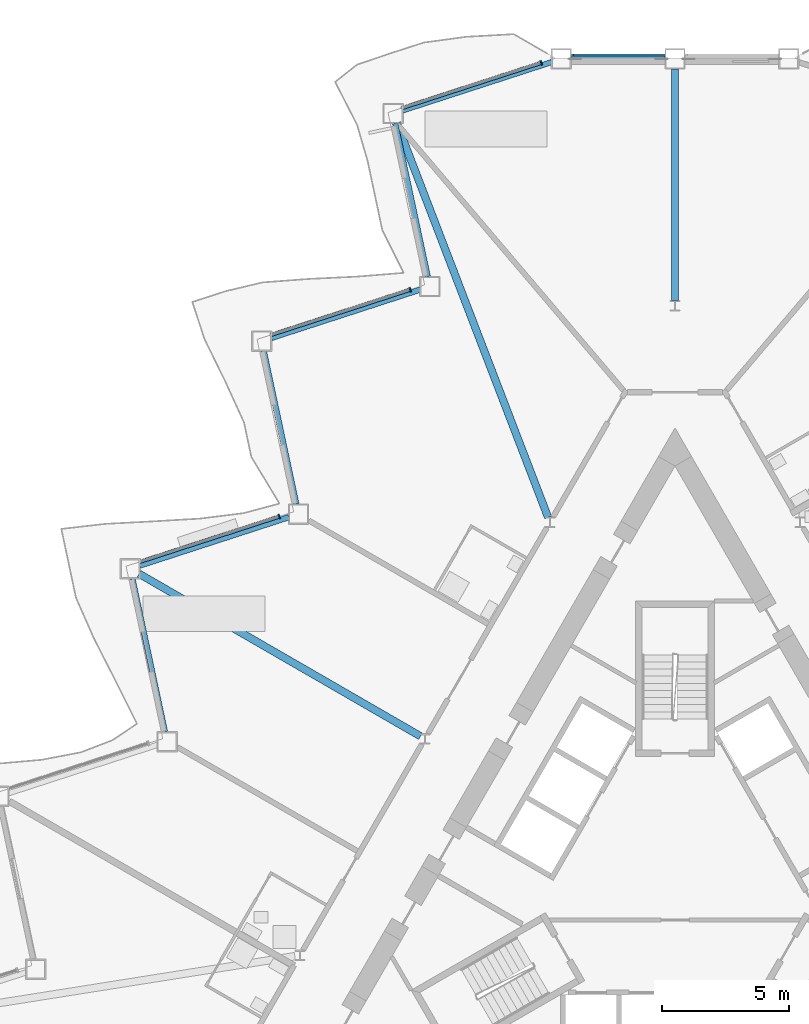
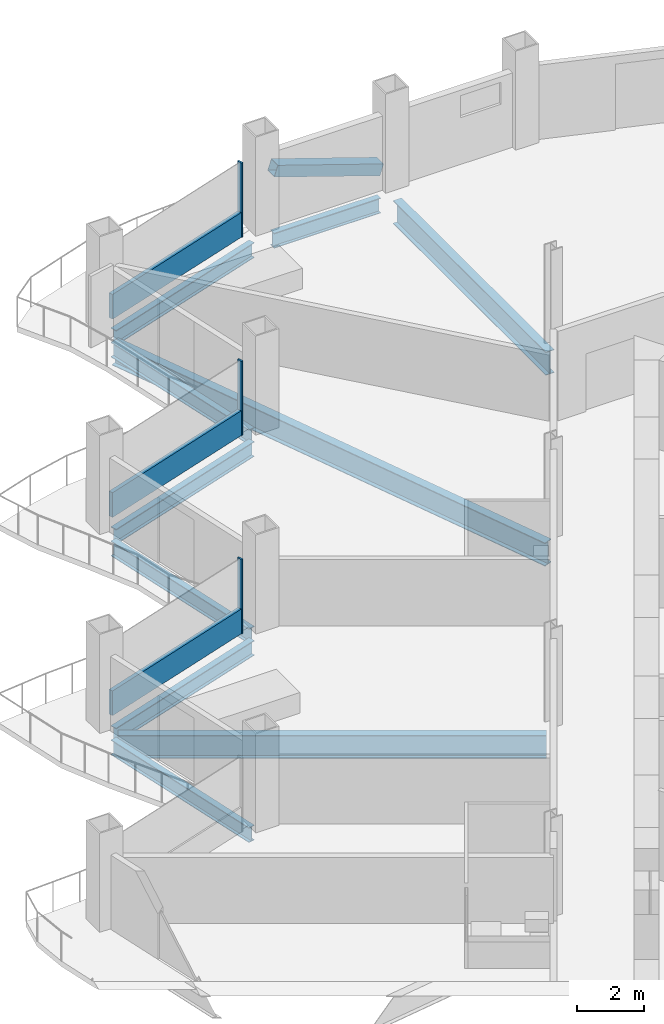
# One storey, part 8 of 24: 10 beams, 7 members, 3 elements without a shape of their own.
"""IFC4 building model written with IfcOpenShell, lengths in metres."""

from ifc_helpers import new_model, si_unit, direction, frame, origin, origin_2d, place, context, subcontext, project, spatial, rectangle, hollow_rectangle, i_section, extrude, material, layer, layer_set, material_profile, profile_set, type_object, element, aggregate, save


model = new_model("IFC4")

# Units and contexts
model_context = context("Model", 3, precision=1e-05, world=origin(), true_north=direction((0.0, 1.0)))
body_context = subcontext(model_context, "Body", "Model", "MODEL_VIEW")
ifc_project = project(units=[si_unit("LENGTHUNIT", "METRE"), si_unit("AREAUNIT", "SQUARE_METRE"), si_unit("VOLUMEUNIT", "CUBIC_METRE"), si_unit("PLANEANGLEUNIT", "RADIAN"), si_unit("MASSUNIT", "GRAM", prefix="KILO")], contexts=[model_context])

# Site, building, storey
site_placement = place(None, origin())
site = spatial("IfcSite", under=ifc_project, at=site_placement, CompositionType="ELEMENT")
building_placement = place(site_placement, origin())
building = spatial("IfcBuilding", under=site, at=building_placement, Name="Cormorant Prow Tower", CompositionType="ELEMENT")
storey_placement = place(building_placement, frame((0.0, 0.0, 205.199951171875)))
storey = spatial("IfcBuildingStorey", under=building, at=storey_placement, Name="L45", CompositionType="ELEMENT", Elevation=205.199951171875)

# Member
ifc_material_1 = material(Name="Structural steel ASTM A500 Gr C", Category="steel")
ifc_material_profile_1 = material_profile(ifc_material_1, hollow_rectangle(XDim=0.406494140625, YDim=0.406494140625, WallThickness=0.01171875, at=origin_2d()), Name="HSS16x16x1/2")
ifc_profile_set_1 = profile_set([ifc_material_profile_1], Name="Structural steel ASTM A500 Gr C")
member_type_1 = type_object("IfcMemberType", Name="Chamfer brace HSS16x16x1/2", PredefinedType="BRACE", material=ifc_profile_set_1)
member_1_placement = place(storey_placement, frame((-0.417236328125, 32.3994140625, 0.739990234375), z_axis=(-0.947980792039, 0.0, 0.318327532464), x_axis=(0.0, -1.0, 0.0)))
element("IfcMember", 1, at=member_1_placement, inside=storey, type_object=member_type_1, Name="Chamfer brace BR2 at N01 L45", PredefinedType="BRACE", context=body_context, shape_type="SweptSolid", body=[
    extrude(hollow_rectangle(XDim=0.406494140625, YDim=0.406494140625, WallThickness=0.01171875, at=origin_2d()), origin(), (0.0, 0.0, 1.0), 3.83544921875),
])

# Curtain wall, member
ifc_material_2 = material(Name="Aluminium 6063-T6", Category="aluminium")
ifc_layer = layer(ifc_material_2, 0.179931640625)
ifc_layer_set = layer_set([ifc_layer], Name="Aluminium 6063-T6")
curtain_wall_type = type_object("IfcCurtainWallType", Name="Hotel unitised curtain wall 180", PredefinedType="NOTDEFINED", material=ifc_layer_set)
curtain_wall_1_placement = place(storey_placement, origin())
curtain_wall_1 = element("IfcCurtainWall", 2, at=curtain_wall_1_placement, inside=storey, type_object=curtain_wall_type, Name="Hotel curtain wall WNW00", PredefinedType="NOTDEFINED")
ifc_material_3 = material(Name="Aluminium 6063-T6", Category="aluminium")
ifc_material_profile_2 = material_profile(ifc_material_3, rectangle(XDim=0.179931640625, YDim=0.06005859375, at=origin_2d()), Name="Hotel mullion 60x180")
ifc_profile_set_2 = profile_set([ifc_material_profile_2], Name="Aluminium 6063-T6")
member_type_2 = type_object("IfcMemberType", Name="Hotel mullion 60x180", PredefinedType="MULLION", material=ifc_profile_set_2)
member_2_placement = place(storey_placement, frame((-5.26171875, 32.246826171875, 0.0), z_axis=(0.0, 0.0, 1.0), x_axis=(0.309017074781, -0.95105649017, 0.0)))
member_2 = element("IfcMember", 3, at=member_2_placement, type_object=member_type_2, Name="Hotel mullion WNW00", PredefinedType="MULLION", context=body_context, shape_type="SweptSolid", body=[
    extrude(rectangle(XDim=0.179931640625, YDim=0.06005859375, at=origin_2d()), origin(), (0.0, 0.0, 1.0), 2.700927734375),
])

curtain_wall_2_placement = place(storey_placement, origin())
curtain_wall_2 = element("IfcCurtainWall", 4, at=curtain_wall_2_placement, inside=storey, type_object=curtain_wall_type, Name="Hotel curtain wall WNW02", PredefinedType="NOTDEFINED")
member_3_placement = place(storey_placement, frame((-10.40966796875, 23.330078125, 0.0), z_axis=(0.0, 0.0, 1.0), x_axis=(0.309017074781, -0.95105649017, 0.0)))
member_3 = element("IfcMember", 5, at=member_3_placement, type_object=member_type_2, Name="Hotel mullion WNW02", PredefinedType="MULLION", context=body_context, shape_type="SweptSolid", body=[
    extrude(rectangle(XDim=0.179931640625, YDim=0.06005859375, at=origin_2d()), origin(), (0.0, 0.0, 1.0), 2.700927734375),
])

curtain_wall_3_placement = place(storey_placement, origin())
curtain_wall_3 = element("IfcCurtainWall", 6, at=curtain_wall_3_placement, inside=storey, type_object=curtain_wall_type, Name="Hotel curtain wall WNW04", PredefinedType="NOTDEFINED")
member_4_placement = place(storey_placement, frame((-15.557861328125, 14.41357421875, 0.0), z_axis=(0.0, 0.0, 1.0), x_axis=(0.309016901785, -0.951056546379, 0.0)))
member_4 = element("IfcMember", 7, at=member_4_placement, type_object=member_type_2, Name="Hotel mullion WNW04", PredefinedType="MULLION", context=body_context, shape_type="SweptSolid", body=[
    extrude(rectangle(XDim=0.179931640625, YDim=0.06005859375, at=origin_2d()), origin(), (0.0, 0.0, 1.0), 2.700927734375),
])

# Member
ifc_material_4 = material(Name="Terracotta", Category="masonry")
ifc_material_profile_3 = material_profile(ifc_material_4, rectangle(XDim=0.139892578125, YDim=0.89990234375, at=origin_2d()), Name="Hotel terracotta spandrel rail 140x900")
ifc_profile_set_3 = profile_set([ifc_material_profile_3], Name="Terracotta")
member_type_3 = type_object("IfcMemberType", Name="Hotel terracotta spandrel rail 140x900", PredefinedType="USERDEFINED", material=ifc_profile_set_3)
member_5_placement = place(storey_placement, frame((-5.290283203125, 32.237548828125, 0.449951171875), z_axis=(-0.951058483557, -0.309010939699, 0.0), x_axis=(0.309010939699, -0.951058483557, 0.0)))
member_5 = element("IfcMember", 8, at=member_5_placement, type_object=member_type_3, Name="Hotel spandrel rail WNW00", ObjectType="TRANSOM", PredefinedType="USERDEFINED", context=body_context, shape_type="SweptSolid", body=[
    extrude(rectangle(XDim=0.139892578125, YDim=0.89990234375, at=origin_2d()), origin(), (0.0, 0.0, 1.0), 5.731201171875),
])

aggregate(curtain_wall_1, [member_2, member_5])

member_6_placement = place(storey_placement, frame((-10.438232421875, 23.321044921875, 0.449951171875), z_axis=(-0.951050032086, -0.309036950006, 0.0), x_axis=(0.309036950006, -0.951050032086, 0.0)))
member_6 = element("IfcMember", 9, at=member_6_placement, type_object=member_type_3, Name="Hotel spandrel rail WNW02", ObjectType="TRANSOM", PredefinedType="USERDEFINED", context=body_context, shape_type="SweptSolid", body=[
    extrude(rectangle(XDim=0.139892578125, YDim=0.89990234375, at=origin_2d()), origin(), (0.0, 0.0, 1.0), 5.7314453125),
])

aggregate(curtain_wall_2, [member_3, member_6])

member_7_placement = place(storey_placement, frame((-15.586181640625, 14.404296875, 0.449951171875), z_axis=(-0.951062550964, -0.308998420956, 0.0), x_axis=(0.308998420956, -0.951062550964, 0.0)))
member_7 = element("IfcMember", 10, at=member_7_placement, type_object=member_type_3, Name="Hotel spandrel rail WNW04", ObjectType="TRANSOM", PredefinedType="USERDEFINED", context=body_context, shape_type="SweptSolid", body=[
    extrude(rectangle(XDim=0.139892578125, YDim=0.89990234375, at=origin_2d()), origin(), (0.0, 0.0, 1.0), 5.7314453125),
])

aggregate(curtain_wall_3, [member_4, member_7])

# Beams
ifc_material_5 = material(Name="Structural steel ASTM A992 Gr 50", Category="steel")
ifc_material_profile_4 = material_profile(ifc_material_5, i_section(OverallWidth=0.29296875, OverallDepth=0.845703125, WebThickness=0.015380859375, FlangeThickness=0.0244140625, at=origin_2d()), Name="W33x141")
ifc_profile_set_4 = profile_set([ifc_material_profile_4], Name="Structural steel ASTM A992 Gr 50")
beam_type_1 = type_object("IfcBeamType", Name="Radial floor beam W33x141", PredefinedType="BEAM", material=ifc_profile_set_4)
beam_1_placement = place(storey_placement, frame((0.0, 22.901611328125, -0.77294921875), z_axis=(0.0, 1.0, 0.0), x_axis=(-1.0, 0.0, 0.0)))
element("IfcBeam", 11, at=beam_1_placement, inside=storey, type_object=beam_type_1, Name="Radial floor beam FB2 1 L45", PredefinedType="BEAM", context=body_context, shape_type="SweptSolid", body=[
    extrude(i_section(OverallWidth=0.29296875, OverallDepth=0.845703125, WebThickness=0.015380859375, FlangeThickness=0.0244140625, at=origin_2d()), origin(), (0.0, 0.0, 1.0), 9.097900390625),
])
beam_2_placement = place(storey_placement, frame((-4.9873046875, 14.376220703125, -0.77294921875), z_axis=(-0.358301123829, 0.933606075742, 0.0), x_axis=(-0.933606075742, -0.358301123829, 0.0)))
element("IfcBeam", 12, at=beam_2_placement, inside=storey, type_object=beam_type_1, Name="Radial floor beam FB2 2 L45", PredefinedType="BEAM", context=body_context, shape_type="SweptSolid", body=[
    extrude(i_section(OverallWidth=0.29296875, OverallDepth=0.845703125, WebThickness=0.015380859375, FlangeThickness=0.0244140625, at=origin_2d()), origin(), (0.0, 0.0, 1.0), 16.604736328125),
])
beam_3_placement = place(storey_placement, frame((-10.0048828125, 5.7763671875, -0.77294921875), z_axis=(-0.866026069776, 0.499998846467, 0.0), x_axis=(-0.499998846467, -0.866026069776, 0.0)))
element("IfcBeam", 13, at=beam_3_placement, inside=storey, type_object=beam_type_1, Name="Radial floor beam FB2 3 L45", PredefinedType="BEAM", context=body_context, shape_type="SweptSolid", body=[
    extrude(i_section(OverallWidth=0.29296875, OverallDepth=0.845703125, WebThickness=0.015380859375, FlangeThickness=0.0244140625, at=origin_2d()), origin(), (0.0, 0.0, 1.0), 12.76904296875),
])
ifc_material_6 = material(Name="Structural steel ASTM A992 Gr 50", Category="steel")
ifc_material_profile_5 = material_profile(ifc_material_6, i_section(OverallWidth=0.2138671875, OverallDepth=0.549072265625, WebThickness=0.0146484375, FlangeThickness=0.023681640625, at=origin_2d()), Name="W21x93")
ifc_profile_set_5 = profile_set([ifc_material_profile_5], Name="Structural steel ASTM A992 Gr 50")
beam_type_2 = type_object("IfcBeamType", Name="Spandrel beam W21x93", PredefinedType="SPANDREL", material=ifc_profile_set_5)
beam_4_placement = place(storey_placement, frame((-0.39990234375, 32.3994140625, -0.62451171875), z_axis=(-1.0, 0.0, 0.0), x_axis=(0.0, -1.0, 0.0)))
element("IfcBeam", 14, at=beam_4_placement, inside=storey, type_object=beam_type_2, Name="Spandrel beam SB2 N01-WNW00 L45", PredefinedType="SPANDREL", context=body_context, shape_type="SweptSolid", body=[
    extrude(i_section(OverallWidth=0.2138671875, OverallDepth=0.549072265625, WebThickness=0.0146484375, FlangeThickness=0.023681640625, at=origin_2d()), origin(), (0.0, 0.0, 1.0), 3.67041015625),
])
beam_5_placement = place(storey_placement, frame((-4.850830078125, 32.27587890625, -0.62451171875), z_axis=(-0.951057696564, -0.309013361859, 0.0), x_axis=(0.309013361859, -0.951057696564, 0.0)))
element("IfcBeam", 15, at=beam_5_placement, inside=storey, type_object=beam_type_2, Name="Spandrel beam SB2 WNW00-WNW01 L45", PredefinedType="SPANDREL", context=body_context, shape_type="SweptSolid", body=[
    extrude(i_section(OverallWidth=0.2138671875, OverallDepth=0.549072265625, WebThickness=0.0146484375, FlangeThickness=0.023681640625, at=origin_2d()), origin(), (0.0, 0.0, 1.0), 6.14990234375),
])
beam_6_placement = place(storey_placement, frame((-10.996826171875, 29.860595703125, -0.62451171875), z_axis=(0.207904811195, -0.978149063018, 0.0), x_axis=(0.978149063018, 0.207904811195, 0.0)))
element("IfcBeam", 16, at=beam_6_placement, inside=storey, type_object=beam_type_2, Name="Spandrel beam SB2 WNW01-WNW02 L45", PredefinedType="SPANDREL", context=body_context, shape_type="SweptSolid", body=[
    extrude(i_section(OverallWidth=0.2138671875, OverallDepth=0.549072265625, WebThickness=0.0146484375, FlangeThickness=0.023681640625, at=origin_2d()), origin(), (0.0, 0.0, 1.0), 6.149658203125),
])
beam_7_placement = place(storey_placement, frame((-10.015625, 23.330322265625, -0.62451171875), z_axis=(-0.951057696564, -0.309013361859, 0.0), x_axis=(0.309013361859, -0.951057696564, 0.0)))
element("IfcBeam", 17, at=beam_7_placement, inside=storey, type_object=beam_type_2, Name="Spandrel beam SB2 WNW02-WNW03 L45", PredefinedType="SPANDREL", context=body_context, shape_type="SweptSolid", body=[
    extrude(i_section(OverallWidth=0.2138671875, OverallDepth=0.549072265625, WebThickness=0.0146484375, FlangeThickness=0.023681640625, at=origin_2d()), origin(), (0.0, 0.0, 1.0), 6.14990234375),
])
beam_8_placement = place(storey_placement, frame((-16.16162109375, 20.9150390625, -0.62451171875), z_axis=(0.207904811195, -0.978149063018, 0.0), x_axis=(0.978149063018, 0.207904811195, 0.0)))
element("IfcBeam", 18, at=beam_8_placement, inside=storey, type_object=beam_type_2, Name="Spandrel beam SB2 WNW03-WNW04 L45", PredefinedType="SPANDREL", context=body_context, shape_type="SweptSolid", body=[
    extrude(i_section(OverallWidth=0.2138671875, OverallDepth=0.549072265625, WebThickness=0.0146484375, FlangeThickness=0.023681640625, at=origin_2d()), origin(), (0.0, 0.0, 1.0), 6.149658203125),
])
beam_9_placement = place(storey_placement, frame((-15.18017578125, 14.384765625, -0.62451171875), z_axis=(-0.951057696564, -0.309013361859, 0.0), x_axis=(0.309013361859, -0.951057696564, 0.0)))
element("IfcBeam", 19, at=beam_9_placement, inside=storey, type_object=beam_type_2, Name="Spandrel beam SB2 WNW04-WNW05 L45", PredefinedType="SPANDREL", context=body_context, shape_type="SweptSolid", body=[
    extrude(i_section(OverallWidth=0.2138671875, OverallDepth=0.549072265625, WebThickness=0.0146484375, FlangeThickness=0.023681640625, at=origin_2d()), origin(), (0.0, 0.0, 1.0), 6.14990234375),
])
beam_10_placement = place(storey_placement, frame((-21.326416015625, 11.969482421875, -0.62451171875), z_axis=(0.207904811195, -0.978149063018, 0.0), x_axis=(0.978149063018, 0.207904811195, 0.0)))
element("IfcBeam", 20, at=beam_10_placement, inside=storey, type_object=beam_type_2, Name="Spandrel beam SB2 WNW05-WNW06 L45", PredefinedType="SPANDREL", context=body_context, shape_type="SweptSolid", body=[
    extrude(i_section(OverallWidth=0.2138671875, OverallDepth=0.549072265625, WebThickness=0.0146484375, FlangeThickness=0.023681640625, at=origin_2d()), origin(), (0.0, 0.0, 1.0), 6.149658203125),
])

save(model, "model.ifc")
